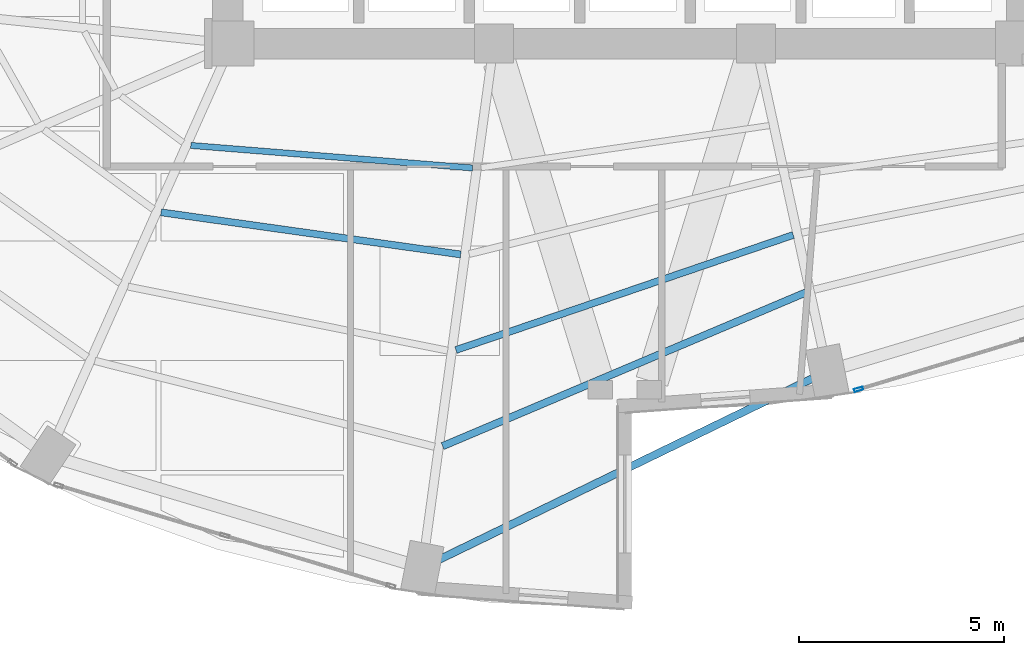
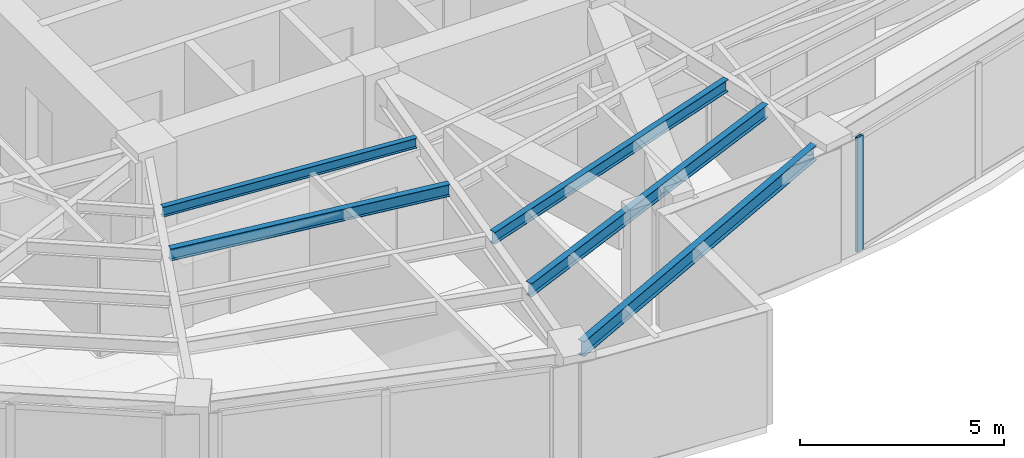
# One storey, part 6 of 23: 5 beams, 1 member, 1 element without a shape of its own.
"""IFC4 building model written with IfcOpenShell, lengths in metres."""

from ifc_helpers import new_model, si_unit, direction, frame, origin, origin_2d, place, context, subcontext, project, spatial, hollow_rectangle, i_section, extrude, material, layer, layer_set, material_profile, profile_set, type_object, element, aggregate, save


model = new_model("IFC4")

# Units and contexts
model_context = context("Model", 3, precision=1e-05, world=origin(), true_north=direction((0.0, 1.0)))
body_context = subcontext(model_context, "Body", "Model", "MODEL_VIEW")
ifc_project = project(units=[si_unit("LENGTHUNIT", "METRE"), si_unit("AREAUNIT", "SQUARE_METRE"), si_unit("VOLUMEUNIT", "CUBIC_METRE"), si_unit("PLANEANGLEUNIT", "RADIAN"), si_unit("MASSUNIT", "GRAM", prefix="KILO")], contexts=[model_context])

# Site, building, storey
site_placement = place(None, origin())
site = spatial("IfcSite", under=ifc_project, at=site_placement, CompositionType="ELEMENT")
building_placement = place(site_placement, origin())
building = spatial("IfcBuilding", under=site, at=building_placement, Name="Lazwardi Medical Tower", CompositionType="ELEMENT")
storey_placement = place(building_placement, frame((0.0, 0.0, 89.0400390625)))
storey = spatial("IfcBuildingStorey", under=building, at=storey_placement, Name="L22", CompositionType="ELEMENT", Elevation=89.0400390625)

# Beams
ifc_material_1 = material(Name="Steel S355", Category="steel")
ifc_material_profile_1 = material_profile(ifc_material_1, i_section(OverallWidth=0.179931640625, OverallDepth=0.39990234375, WebThickness=0.008544921875, FlangeThickness=0.013427734375, at=origin_2d()), Name="IPE 400")
ifc_profile_set_1 = profile_set([ifc_material_profile_1], Name="Steel S355")
beam_type_1 = type_object("IfcBeamType", Name="BM-SJ-01", PredefinedType="JOIST", material=ifc_profile_set_1)
beam_1_placement = place(storey_placement, frame((31.550537109375, 10.571533203125, 3.22802734375), z_axis=(0.920947307957, 0.389687125739, 0.0), x_axis=(-0.389687125739, 0.920947307957, 0.0)))
element("IfcBeam", 1, at=beam_1_placement, inside=storey, type_object=beam_type_1, Name="Secondary joist SJ-01 R1 B16 L22", PredefinedType="JOIST", context=body_context, shape_type="SweptSolid", body=[
    extrude(i_section(OverallWidth=0.179931640625, OverallDepth=0.39990234375, WebThickness=0.008544921875, FlangeThickness=0.013427734375, at=origin_2d()), origin(), (0.0, 0.0, 1.0), 9.63134765625),
])
ifc_material_profile_2 = material_profile(ifc_material_1, i_section(OverallWidth=0.169921875, OverallDepth=0.360107421875, WebThickness=0.008056640625, FlangeThickness=0.0126953125, at=origin_2d()), Name="IPE 360")
ifc_profile_set_2 = profile_set([ifc_material_profile_2], Name="Steel S355")
beam_type_2 = type_object("IfcBeamType", Name="BM-SJ-02", PredefinedType="JOIST", material=ifc_profile_set_2)
beam_2_placement = place(storey_placement, frame((31.874267578125, 12.91796875, 3.248046875), z_axis=(0.946467154368, 0.322800132749, 0.0), x_axis=(-0.322800132749, 0.946467154368, 0.0)))
element("IfcBeam", 2, at=beam_2_placement, inside=storey, type_object=beam_type_2, Name="Secondary joist SJ-02 R2 B16 L22", PredefinedType="JOIST", context=body_context, shape_type="SweptSolid", body=[
    extrude(i_section(OverallWidth=0.169921875, OverallDepth=0.360107421875, WebThickness=0.008056640625, FlangeThickness=0.0126953125, at=origin_2d()), origin(), (0.0, 0.0, 1.0), 8.70458984375),
])
beam_3_placement = place(storey_placement, frame((24.67431640625, 16.281005859375, 3.248046875), z_axis=(0.990260920731, -0.139223952222, 0.0), x_axis=(0.139223952222, 0.990260920731, 0.0)))
element("IfcBeam", 3, at=beam_3_placement, inside=storey, type_object=beam_type_2, Name="Secondary joist SJ-02 R3 B15 L22", PredefinedType="JOIST", context=body_context, shape_type="SweptSolid", body=[
    extrude(i_section(OverallWidth=0.169921875, OverallDepth=0.360107421875, WebThickness=0.008056640625, FlangeThickness=0.0126953125, at=origin_2d()), origin(), (0.0, 0.0, 1.0), 7.3896484375),
])
ifc_material_profile_3 = material_profile(ifc_material_1, i_section(OverallWidth=0.14990234375, OverallDepth=0.300048828125, WebThickness=0.007080078125, FlangeThickness=0.0107421875, at=origin_2d()), Name="IPE 300")
ifc_profile_set_3 = profile_set([ifc_material_profile_3], Name="Steel S355")
beam_type_3 = type_object("IfcBeamType", Name="BM-SJ-03", PredefinedType="JOIST", material=ifc_profile_set_3)
beam_4_placement = place(storey_placement, frame((25.400390625, 17.914306640625, 3.278076171875), z_axis=(0.996816178299, -0.079733974445, 0.0), x_axis=(0.079733974445, 0.996816178299, 0.0)))
element("IfcBeam", 4, at=beam_4_placement, inside=storey, type_object=beam_type_3, Name="Secondary joist SJ-03 R4 B15 L22", PredefinedType="JOIST", context=body_context, shape_type="SweptSolid", body=[
    extrude(i_section(OverallWidth=0.14990234375, OverallDepth=0.300048828125, WebThickness=0.007080078125, FlangeThickness=0.0107421875, at=origin_2d()), origin(), (0.0, 0.0, 1.0), 6.901611328125),
])
ifc_material_profile_4 = material_profile(ifc_material_1, i_section(OverallWidth=0.18994140625, OverallDepth=0.449951171875, WebThickness=0.009521484375, FlangeThickness=0.0146484375, at=origin_2d()), Name="IPE 450")
ifc_profile_set_4 = profile_set([ifc_material_profile_4], Name="Steel S355")
beam_type_4 = type_object("IfcBeamType", Name="BM-SP-01", PredefinedType="SPANDREL", material=ifc_profile_set_4)
beam_5_placement = place(storey_placement, frame((31.42333984375, 7.781494140625, 3.202880859375), z_axis=(0.899653336227, 0.436604941125, 0.0), x_axis=(-0.436604941125, 0.899653336227, 0.0)))
element("IfcBeam", 5, at=beam_5_placement, inside=storey, type_object=beam_type_4, Name="Spandrel beam SP-01 B16 L22", PredefinedType="SPANDREL", context=body_context, shape_type="SweptSolid", body=[
    extrude(i_section(OverallWidth=0.18994140625, OverallDepth=0.449951171875, WebThickness=0.009521484375, FlangeThickness=0.0146484375, at=origin_2d()), origin(), (0.0, 0.0, 1.0), 10.17431640625),
])

# Curtain wall, member
ifc_material_2 = material(Name="Anodised bronze aluminium and solar control glazing", Category="aluminium")
ifc_layer = layer(ifc_material_2, 0.195068359375)
ifc_layer_set = layer_set([ifc_layer], Name="Anodised bronze aluminium and solar control glazing")
curtain_wall_type = type_object("IfcCurtainWallType", Name="CW-SYS-03", PredefinedType="NOTDEFINED", material=ifc_layer_set)
curtain_wall_placement = place(storey_placement, origin())
curtain_wall = element("IfcCurtainWall", 6, at=curtain_wall_placement, inside=storey, type_object=curtain_wall_type, Name="L22 Unitised bronze curtain wall CW-03", PredefinedType="NOTDEFINED")
ifc_material_3 = material(Name="Anodised bronze aluminium", Category="aluminium")
ifc_material_profile_5 = material_profile(ifc_material_3, hollow_rectangle(XDim=0.074951171875, YDim=0.219970703125, WallThickness=0.00390625, at=origin_2d()), Name="ALU-MULLION 220x75x4")
ifc_profile_set_5 = profile_set([ifc_material_profile_5], Name="Anodised bronze aluminium")
member_type = type_object("IfcMemberType", Name="CW-MUL-01", PredefinedType="MULLION", material=ifc_profile_set_5)
member_placement = place(storey_placement, frame((41.710205078125, 11.9599609375, 0.0), z_axis=(0.0, 0.0, 1.0), x_axis=(-0.28937381157, 0.957216170558, 0.0)))
member = element("IfcMember", 7, at=member_placement, type_object=member_type, Name="CW-03 mullion 1", PredefinedType="MULLION", context=body_context, shape_type="SweptSolid", body=[
    extrude(hollow_rectangle(XDim=0.074951171875, YDim=0.219970703125, WallThickness=0.00390625, at=origin_2d()), origin(), (0.0, 0.0, 1.0), 3.427978515625),
])
aggregate(curtain_wall, [member])

save(model, "model.ifc")
